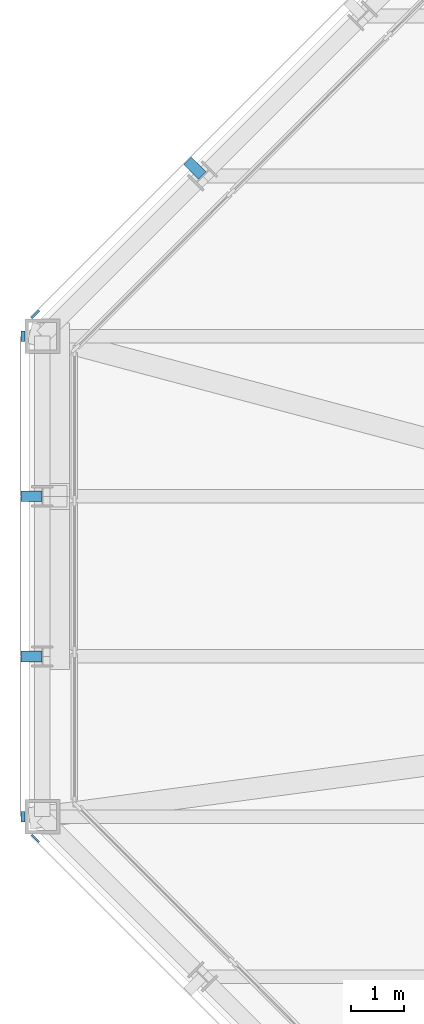
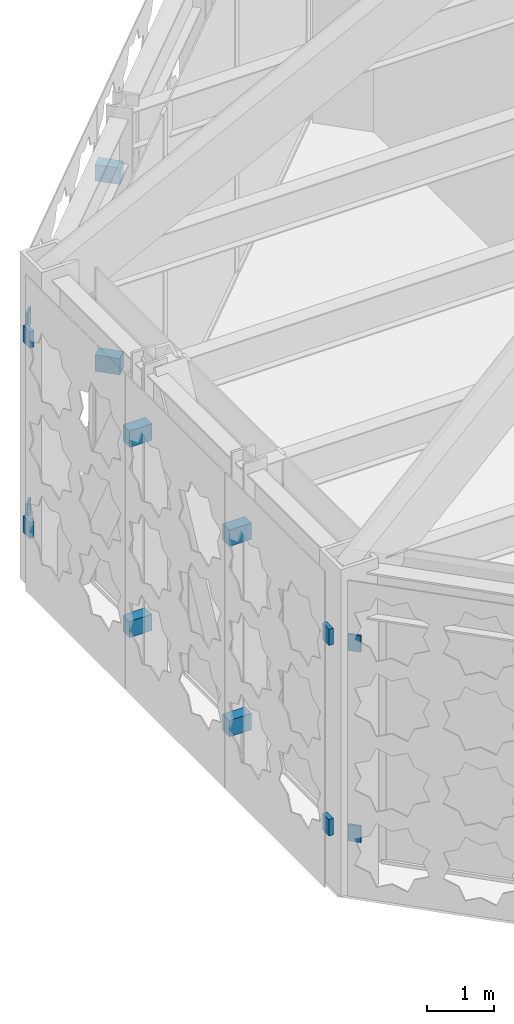
# One storey, part 17 of 30: 14 discrete accessories.
"""IFC4 building model written with IfcOpenShell, lengths in metres."""

from ifc_helpers import new_model, si_unit, direction, frame, origin, origin_2d, place, context, subcontext, project, spatial, rectangle, extrude, material, type_object, element, save


model = new_model("IFC4")

# Units and contexts
model_context = context("Model", 3, precision=1e-05, world=origin(), true_north=direction((0.0, 1.0)))
body_context = subcontext(model_context, "Body", "Model", "MODEL_VIEW")
ifc_project = project(units=[si_unit("LENGTHUNIT", "METRE"), si_unit("AREAUNIT", "SQUARE_METRE"), si_unit("VOLUMEUNIT", "CUBIC_METRE"), si_unit("PLANEANGLEUNIT", "RADIAN"), si_unit("MASSUNIT", "GRAM", prefix="KILO")], contexts=[model_context])

# Site, building, storey
site_placement = place(None, origin())
site = spatial("IfcSite", under=ifc_project, at=site_placement, CompositionType="ELEMENT")
building_placement = place(site_placement, origin())
building = spatial("IfcBuilding", under=site, at=building_placement, Name="Chuquiago Exchange Tower", CompositionType="ELEMENT")
storey_placement = place(building_placement, frame((0.0, 0.0, 306.0)))
storey = spatial("IfcBuildingStorey", under=building, at=storey_placement, Name="L68", CompositionType="ELEMENT", Elevation=306.0)

# Discrete accessories
ifc_material_1 = material(Name="Stainless steel plate bracket", Category="steel")
discrete_accessory_type_1 = type_object("IfcDiscreteAccessoryType", Name="GB1 cladding bracket 388", PredefinedType="BRACKET", material=ifc_material_1)
for number, where, z_axis, x_axis, name in (
    (1, (-0.206298828125, 24.0, 1.0048828125), (0.0, 0.0, 1.0), (0.0, -1.0, 0.0), "Cladding bracket L68 W"),
    (2, (-0.206298828125, 24.0, 4.5), (0.0, 0.0, 1.0), (0.0, -1.0, 0.0), "Cladding bracket L68 W"),
    (3, (-0.206298828125, 21.0, 1.0048828125), (0.0, 0.0, 1.0), (0.0, -1.0, 0.0), "Cladding bracket L68 W"),
    (4, (-0.206298828125, 21.0, 4.5), (0.0, 0.0, 1.0), (0.0, -1.0, 0.0), "Cladding bracket L68 W"),
):
    element("IfcDiscreteAccessory", number, at=place(storey_placement, frame(where, z_axis=z_axis, x_axis=x_axis)), inside=storey, type_object=discrete_accessory_type_1, Name=name, PredefinedType="BRACKET", context=body_context, shape_type="SweptSolid", body=[
        extrude(rectangle(XDim=0.199951171875, YDim=0.3876953125, at=origin_2d()), origin(), (0.0, 0.0, 1.0), 0.300048828125),
    ])
ifc_material_2 = material(Name="Stainless steel plate bracket", Category="steel")
discrete_accessory_type_2 = type_object("IfcDiscreteAccessoryType", Name="GB2 cladding bracket 386", PredefinedType="BRACKET", material=ifc_material_2)
for number, where, z_axis, x_axis, name in (
    (5, (2.853759765625, 30.146240234375, 1.0048828125), (0.0, 0.0, 1.0), (-0.707106781187, -0.707106781187, 0.0), "Cladding bracket L68 NW"),
    (6, (2.853759765625, 30.146240234375, 4.5), (0.0, 0.0, 1.0), (-0.707106781187, -0.707106781187, 0.0), "Cladding bracket L68 NW"),
):
    element("IfcDiscreteAccessory", number, at=place(storey_placement, frame(where, z_axis=z_axis, x_axis=x_axis)), inside=storey, type_object=discrete_accessory_type_2, Name=name, PredefinedType="BRACKET", context=body_context, shape_type="SweptSolid", body=[
        extrude(rectangle(XDim=0.199951171875, YDim=0.386474609375, at=origin_2d()), origin(), (0.0, 0.0, 1.0), 0.300048828125),
    ])
ifc_material_3 = material(Name="Stainless steel plate bracket", Category="steel")
discrete_accessory_type_3 = type_object("IfcDiscreteAccessoryType", Name="GB4 cladding bracket 75", PredefinedType="BRACKET", material=ifc_material_3)
for number, where, z_axis, x_axis, name in (
    (7, (-0.362548828125, 27.0, 1.0048828125), (0.0, 0.0, 1.0), (0.0, -1.0, 0.0), "Cladding bracket L68 W"),
    (8, (-0.362548828125, 27.0, 4.5), (0.0, 0.0, 1.0), (0.0, -1.0, 0.0), "Cladding bracket L68 W"),
    (9, (-0.362548828125, 18.0, 1.0048828125), (0.0, 0.0, 1.0), (0.0, -1.0, 0.0), "Cladding bracket L68 W"),
    (10, (-0.362548828125, 18.0, 4.5), (0.0, 0.0, 1.0), (0.0, -1.0, 0.0), "Cladding bracket L68 W"),
):
    element("IfcDiscreteAccessory", number, at=place(storey_placement, frame(where, z_axis=z_axis, x_axis=x_axis)), inside=storey, type_object=discrete_accessory_type_3, Name=name, PredefinedType="BRACKET", context=body_context, shape_type="SweptSolid", body=[
        extrude(rectangle(XDim=0.199951171875, YDim=0.074951171875, at=origin_2d()), origin(), (0.0, 0.0, 1.0), 0.300048828125),
    ])
ifc_material_4 = material(Name="Stainless steel plate bracket", Category="steel")
discrete_accessory_type_4 = type_object("IfcDiscreteAccessoryType", Name="GB6 cladding bracket 35", PredefinedType="BRACKET", material=ifc_material_4)
for number, where, z_axis, x_axis, name in (
    (11, (-0.132568359375, 27.408203125, 1.0048828125), (0.0, 0.0, 1.0), (-0.707106781187, -0.707106781187, 0.0), "Cladding bracket L68 NW"),
    (12, (-0.132568359375, 27.408203125, 4.5), (0.0, 0.0, 1.0), (-0.707106781187, -0.707106781187, 0.0), "Cladding bracket L68 NW"),
    (13, (-0.13232421875, 17.591796875, 1.0048828125), (0.0, 0.0, 1.0), (0.707106781187, -0.707106781187, 0.0), "Cladding bracket L68 SW"),
    (14, (-0.13232421875, 17.591796875, 4.5), (0.0, 0.0, 1.0), (0.707106781187, -0.707106781187, 0.0), "Cladding bracket L68 SW"),
):
    element("IfcDiscreteAccessory", number, at=place(storey_placement, frame(where, z_axis=z_axis, x_axis=x_axis)), inside=storey, type_object=discrete_accessory_type_4, Name=name, PredefinedType="BRACKET", context=body_context, shape_type="SweptSolid", body=[
        extrude(rectangle(XDim=0.199951171875, YDim=0.035400390625, at=origin_2d()), origin(), (0.0, 0.0, 1.0), 0.300048828125),
    ])

save(model, "model.ifc")
